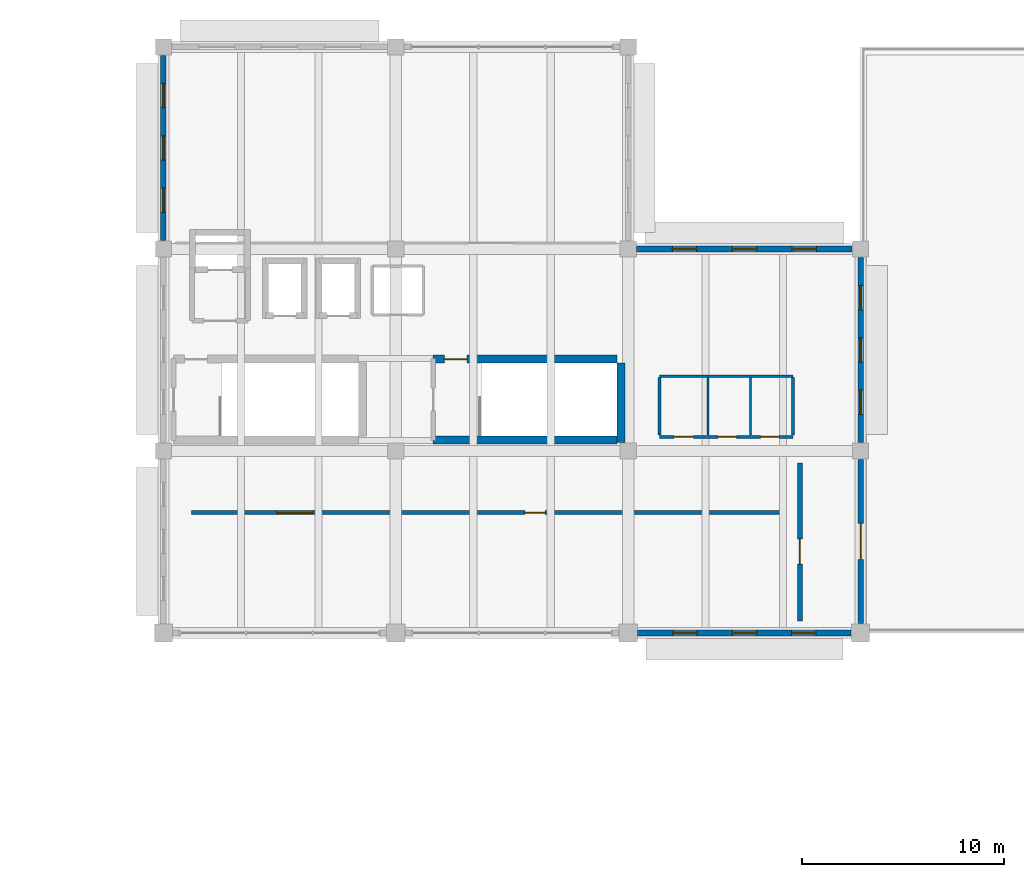
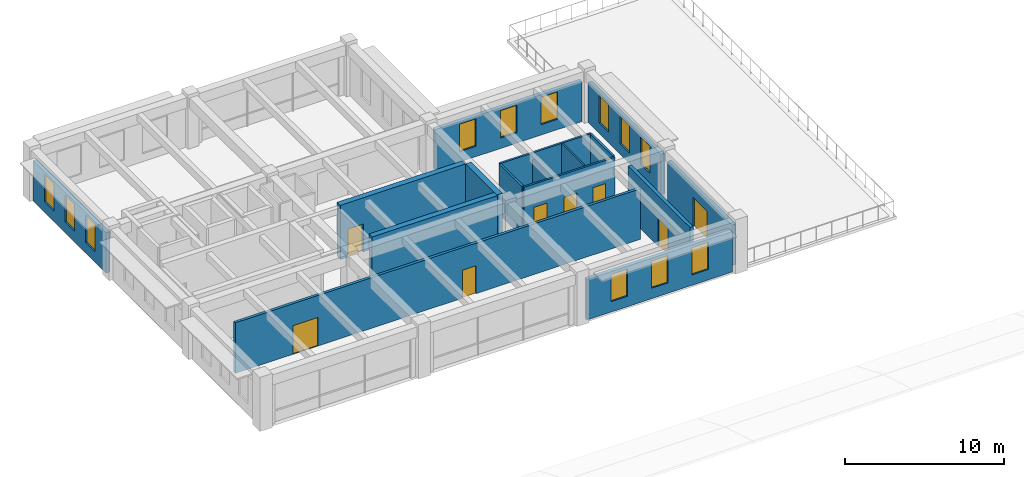
# One storey, part 26 of 33: 16 walls, 12 windows, 8 doors, 20 openings.
"""IFC4 building model written with IfcOpenShell, lengths in metres."""

import ifcopenshell
import ifcopenshell.guid

model = None  # the IFC model being written
_history = None  # IfcOwnerHistory: only IFC2X3 demands one
_inside = {}  # id of a spatial element -> (the spatial element, [elements in it])
_under = {}  # id of a project, library or spatial element -> (it, [spatial elements below it])
_declared = {}  # id of a project -> (the project, [libraries it declares])
_typed = {}  # id of a type object -> (the type object, [elements of that type])
_made_of = {}  # id of a material, layer set ... -> (it, [elements and type objects made of it])


def new_model(schema):
    """Start an empty IFC model of exactly this schema.

    Asked for "IFC4X3", IfcOpenShell would pick the latest addendum, in which some entities
    have other attributes; the version numbers below select the first issue.
    IFC2X3 requires an IfcOwnerHistory on every rooted entity: one is made here for all.
    """
    global model, _history
    if schema == "IFC4X3":
        model = ifcopenshell.file(schema_version=(4, 3, 0, 0))
    else:
        model = ifcopenshell.file(schema=schema)
    _inside.clear()
    _under.clear()
    _declared.clear()
    _typed.clear()
    _made_of.clear()
    _history = None
    if model.schema == "IFC2X3":
        org = make("IfcOrganization", Name="unknown")
        user = make(
            "IfcPersonAndOrganization",
            ThePerson=make("IfcPerson", FamilyName="unknown"),
            TheOrganization=org,
        )
        app = make(
            "IfcApplication",
            ApplicationDeveloper=org,
            Version="unknown",
            ApplicationFullName="unknown",
            ApplicationIdentifier="unknown",
        )
        _history = make(
            "IfcOwnerHistory",
            OwningUser=user,
            OwningApplication=app,
            ChangeAction="ADDED",
            CreationDate=0,
        )
    return model


def make(cls, **values):
    """One entity of the class cls with the attributes given. An attribute that is None is left unset."""
    return model.create_entity(
        cls, **{name: value for name, value in values.items() if value is not None}
    )


def rooted(cls, **values):
    """An entity with a GlobalId (a new one), such as an element, a storey or a relation."""
    return make(cls, GlobalId=ifcopenshell.guid.new(), OwnerHistory=_history, **values)


def si_unit(unit_type, name, prefix=None):
    """IfcSIUnit, for example si_unit("LENGTHUNIT", "METRE", prefix="MILLI")."""
    return make("IfcSIUnit", UnitType=unit_type, Prefix=prefix, Name=name)


def assignment(units):
    """IfcUnitAssignment: the units of a project."""
    return None if units is None else make("IfcUnitAssignment", Units=units)


def point(xyz):
    """IfcCartesianPoint."""
    return None if xyz is None else make("IfcCartesianPoint", Coordinates=xyz)


def direction(xyz):
    """IfcDirection."""
    return None if xyz is None else make("IfcDirection", DirectionRatios=xyz)


def frame(location, z_axis=None, x_axis=None):
    """IfcAxis2Placement3D, a coordinate frame: its origin and axes. An axis left out is left unset."""
    return make(
        "IfcAxis2Placement3D",
        Location=point(location),
        Axis=direction(z_axis),
        RefDirection=direction(x_axis),
    )


def frame_2d(location, x_axis=None):
    """IfcAxis2Placement2D, a coordinate frame in the plane: its origin and x axis."""
    return make(
        "IfcAxis2Placement2D", Location=point(location), RefDirection=direction(x_axis)
    )


def origin():
    """The frame at (0, 0, 0) with its axes left unset."""
    return frame((0.0, 0.0, 0.0))


def place(relative_to, where):
    """IfcLocalPlacement: puts the frame where relative to a parent placement (None: the world)."""
    return make(
        "IfcLocalPlacement", PlacementRelTo=relative_to, RelativePlacement=where
    )


def context(
    kind, dimensions, precision=None, world=None, true_north=None, identifier=None
):
    """IfcGeometricRepresentationContext, for example the 3D "Model" context."""
    return make(
        "IfcGeometricRepresentationContext",
        ContextIdentifier=identifier,
        ContextType=kind,
        CoordinateSpaceDimension=dimensions,
        Precision=precision,
        WorldCoordinateSystem=world,
        TrueNorth=true_north,
    )


def subcontext(parent, identifier, kind, view, scale=None):
    """IfcGeometricRepresentationSubContext, for example "Body" below "Model"."""
    return make(
        "IfcGeometricRepresentationSubContext",
        ContextIdentifier=identifier,
        ContextType=kind,
        ParentContext=parent,
        TargetScale=scale,
        TargetView=view,
    )


def project(units=None, contexts=None):
    """IfcProject with its units and contexts."""
    return rooted(
        "IfcProject",
        Name="project",
        RepresentationContexts=contexts,
        UnitsInContext=assignment(units),
    )


def spatial(cls, under=None, at=None, **own):
    """A site, building, storey or space (cls), placed at a placement, below another one or the project."""
    s = rooted(cls, ObjectPlacement=at, **own)
    if under is not None:
        _under.setdefault(under.id(), (under, []))[1].append(s)
    return s


def profile(cls, at=None, kind="AREA", **sizes):
    """A parametric profile (cls). Its sizes go by their IFC names, for example OverallWidth=200.0."""
    return make(cls, ProfileType=kind, Position=at, **sizes)


def rectangle(**sizes):
    """IfcRectangleProfileDef."""
    return profile("IfcRectangleProfileDef", **sizes)


def extrude(swept, where, along, depth):
    """IfcExtrudedAreaSolid: the profile swept, set in the frame where, extruded along a direction by depth."""
    return make(
        "IfcExtrudedAreaSolid",
        SweptArea=swept,
        Position=where,
        ExtrudedDirection=direction(along),
        Depth=depth,
    )


def shape(context_of_items, identifier, shape_type, items):
    """IfcShapeRepresentation: the items that make up one representation, for example the "Body"."""
    return make(
        "IfcShapeRepresentation",
        ContextOfItems=context_of_items,
        RepresentationIdentifier=identifier,
        RepresentationType=shape_type,
        Items=items,
    )


def material(Name=None, Category=None):
    """IfcMaterial."""
    return make("IfcMaterial", Name=Name, Category=Category)


def layer(
    of_material, thickness, ventilated=None, Name=None, Category=None, Priority=None
):
    """IfcMaterialLayer: one layer of a wall or slab, of a material (None: an air gap)."""
    return make(
        "IfcMaterialLayer",
        Material=of_material,
        LayerThickness=thickness,
        IsVentilated=ventilated,
        Name=Name,
        Category=Category,
        Priority=Priority,
    )


def layer_set(layers, Name=None):
    """IfcMaterialLayerSet."""
    return make("IfcMaterialLayerSet", MaterialLayers=layers, LayerSetName=Name)


def made_of(thing, what):
    """Note that an element or type object is made of a material, layer set ...; save() writes the relation."""
    if what is not None:
        _made_of.setdefault(what.id(), (what, []))[1].append(thing)
    return thing


def type_object(cls, material=None, **own):
    """A type object (cls), such as IfcWallType, which elements share."""
    return made_of(rooted(cls, **own), material)


def element(
    cls,
    number,
    at=None,
    inside=None,
    cuts=None,
    type_object=None,
    material=None,
    context=None,
    identifier="Body",
    shape_type=None,
    held_by="IfcProductDefinitionShape",
    body=None,
    shapes=None,
    **own,
):
    """One element of the class cls, such as IfcWall. Its Tag is "e" and its number.

    at: its placement. inside: the storey or other place that contains it. cuts: it is an
    opening in that element (IfcRelVoidsElement). A single representation is given by context,
    identifier, shape_type and body (its items); several are given by shapes. held_by: the class
    of the entity that holds the representations. save() writes the other relations.
    """
    e = rooted(cls, Tag="e%d" % number, ObjectPlacement=at, **own)
    if body is not None:
        shapes = [shape(context, identifier, shape_type, body)]
    if shapes is not None:
        e.Representation = make(held_by, Representations=shapes)
    if inside is not None:
        _inside.setdefault(inside.id(), (inside, []))[1].append(e)
    if cuts is not None:
        rooted(
            "IfcRelVoidsElement", RelatingBuildingElement=cuts, RelatedOpeningElement=e
        )
    if type_object is not None:
        _typed.setdefault(type_object.id(), (type_object, []))[1].append(e)
    return made_of(e, material)


def fill(opening, filler):
    """IfcRelFillsElement: the door or window that sits in an opening."""
    return rooted(
        "IfcRelFillsElement",
        RelatingOpeningElement=opening,
        RelatedBuildingElement=filler,
    )


def aggregate(whole, parts):
    """IfcRelAggregates: a whole, such as a stair, and the parts it consists of."""
    return rooted("IfcRelAggregates", RelatingObject=whole, RelatedObjects=parts)


def save(model, path):
    """Write the relations noted so far, then the file.

    IfcRelAggregates (storeys below a building ...), IfcRelContainedInSpatialStructure (elements
    in a storey), IfcRelDefinesByType, IfcRelAssociatesMaterial and IfcRelDeclares: one each for
    every whole, place, type object, material and project.
    """
    for whole, parts in _under.values():
        aggregate(whole, parts)
    for where, things in _inside.values():
        rooted(
            "IfcRelContainedInSpatialStructure",
            RelatedElements=things,
            RelatingStructure=where,
        )
    for kind, things in _typed.values():
        rooted("IfcRelDefinesByType", RelatedObjects=things, RelatingType=kind)
    for what, things in _made_of.values():
        rooted("IfcRelAssociatesMaterial", RelatedObjects=things, RelatingMaterial=what)
    for by, libraries in _declared.values():
        rooted("IfcRelDeclares", RelatingContext=by, RelatedDefinitions=libraries)
    model.write(path)


model = new_model("IFC4")

# Units and contexts
model_context = context("Model", 3, precision=1e-05, world=origin(), true_north=direction((0.0, 1.0)))
body_context = subcontext(model_context, "Body", "Model", "MODEL_VIEW")
ifc_project = project(units=[si_unit("LENGTHUNIT", "METRE"), si_unit("AREAUNIT", "SQUARE_METRE"), si_unit("VOLUMEUNIT", "CUBIC_METRE"), si_unit("PLANEANGLEUNIT", "RADIAN"), si_unit("MASSUNIT", "GRAM", prefix="KILO")], contexts=[model_context])

# Site, building, storey
site_placement = place(None, origin())
site = spatial("IfcSite", under=ifc_project, at=site_placement, CompositionType="ELEMENT")
building_placement = place(site_placement, origin())
building = spatial("IfcBuilding", under=site, at=building_placement, Name="Ologun Quay Terminus", CompositionType="ELEMENT")
storey_placement = place(building_placement, frame((0.0, 0.0, 18.300048828125)))
storey = spatial("IfcBuildingStorey", under=building, at=storey_placement, Name="L04", CompositionType="ELEMENT", Elevation=18.300048828125)

# Wall, openings, doors
ifc_material_1 = material(Name="Concrete C40/50", Category="concrete")
ifc_layer_1 = layer(ifc_material_1, 0.199951171875)
ifc_layer_set_1 = layer_set([ifc_layer_1], Name="Concrete C40/50")
wall_type_1 = type_object("IfcWallType", Name="Corridor Fire-Rated Partition 200", PredefinedType="PARTITIONING", material=ifc_layer_set_1)
wall_1_placement = place(storey_placement, frame((24.39990234375, 91.75, 0.0), z_axis=(0.0, 0.0, 1.0), x_axis=(1.0, 0.0, 0.0)))
wall_1 = element("IfcWall", 1, at=wall_1_placement, inside=storey, type_object=wall_type_1, Name="PW-02 Partition WCor-S", PredefinedType="PARTITIONING", context=body_context, shape_type="SweptSolid", body=[
    extrude(rectangle(XDim=29.400146484375, YDim=0.199951171875, at=frame_2d((14.7001953125, 0.0))), origin(), (0.0, 0.0, 1.0), 3.8798828125),
])
opening_1_placement = place(wall_1_placement, frame((4.199951171875, 0.0, 0.0)))
opening_1 = element("IfcOpeningElement", 2, at=opening_1_placement, cuts=wall_1, Name="Opening ID-141", PredefinedType="OPENING", context=body_context, shape_type="SweptSolid", body=[
    extrude(rectangle(XDim=1.800048828125, YDim=2.199951171875, at=frame_2d((0.89990234375, 1.10009765625))), frame((0.0, 0.10986328125, 0.0), z_axis=(0.0, -1.0, 0.0), x_axis=(1.0, 0.0, 0.0)), (0.0, 0.0, 1.0), 0.219970703125),
])
opening_2_placement = place(wall_1_placement, frame((16.5, 0.0, 0.0)))
opening_2 = element("IfcOpeningElement", 3, at=opening_2_placement, cuts=wall_1, Name="Opening ID-142", PredefinedType="OPENING", context=body_context, shape_type="SweptSolid", body=[
    extrude(rectangle(XDim=0.97998046875, YDim=2.14990234375, at=frame_2d((0.489990234375, 1.074951171875))), frame((0.0, 0.10986328125, 0.0), z_axis=(0.0, -1.0, 0.0), x_axis=(1.0, 0.0, 0.0)), (0.0, 0.0, 1.0), 0.219970703125),
])
ifc_material_2 = material(Name="Steel S355", Category="steel")
door_type_1 = type_object("IfcDoorType", Name="Corridor Compartment Pair 1800x2200", OperationType="DOUBLE_DOOR_SINGLE_SWING", PredefinedType="DOOR", material=ifc_material_2)
door_1_placement = place(opening_1_placement, origin())
door_1 = element("IfcDoor", 4, at=door_1_placement, inside=storey, type_object=door_type_1, Name="FD-03 Door ID-141", OperationType="DOUBLE_DOOR_SINGLE_SWING", OverallHeight=2.199951171875, OverallWidth=1.800048828125, PredefinedType="DOOR", context=body_context, shape_type="SweptSolid", body=[
    extrude(rectangle(XDim=1.800048828125, YDim=2.199951171875, at=frame_2d((0.89990234375, 1.10009765625))), frame((0.0, 0.02490234375, 0.0), z_axis=(0.0, -1.0, 0.0), x_axis=(1.0, 0.0, 0.0)), (0.0, 0.0, 1.0), 0.050048828125),
])
fill(opening_1, door_1)
ifc_material_3 = material(Name="Timber Hardwood", Category="wood")
door_type_2 = type_object("IfcDoorType", Name="Operations Room Acoustic Leaf 980x2150", OperationType="SINGLE_SWING_LEFT", PredefinedType="DOOR", material=ifc_material_3)
door_2_placement = place(opening_2_placement, origin())
door_2 = element("IfcDoor", 5, at=door_2_placement, inside=storey, type_object=door_type_2, Name="ID-01 Door ID-142", OperationType="SINGLE_SWING_LEFT", OverallHeight=2.14990234375, OverallWidth=0.97998046875, PredefinedType="DOOR", context=body_context, shape_type="SweptSolid", body=[
    extrude(rectangle(XDim=0.97998046875, YDim=2.14990234375, at=frame_2d((0.489990234375, 1.074951171875))), frame((0.0, 0.02490234375, 0.0), z_axis=(0.0, -1.0, 0.0), x_axis=(1.0, 0.0, 0.0)), (0.0, 0.0, 1.0), 0.050048828125),
])
fill(opening_2, door_2)

# Wall
ifc_material_4 = material(Name="Concrete C40/50", Category="concrete")
ifc_layer_2 = layer(ifc_material_4, 0.39990234375)
ifc_layer_set_2 = layer_set([ifc_layer_2], Name="Concrete C40/50")
wall_type_2 = type_object("IfcWallType", Name="Coupled Wing Upper Core Shear Wall 400", PredefinedType="SHEAR", material=ifc_layer_set_2)
wall_2_placement = place(storey_placement, frame((36.35009765625, 95.35009765625, 0.0), z_axis=(0.0, 0.0, 1.0), x_axis=(1.0, 0.0, 0.0)))
element("IfcWall", 6, at=wall_2_placement, inside=storey, type_object=wall_type_2, Name="WC2 Core South Shear Wall L04", PredefinedType="SHEAR", context=body_context, shape_type="SweptSolid", body=[
    extrude(rectangle(XDim=9.099853515625, YDim=0.39990234375, at=frame_2d((4.5498046875, 0.0))), origin(), (0.0, 0.0, 1.0), 4.159912109375),
])

# Wall, opening, door
wall_3_placement = place(storey_placement, frame((36.35009765625, 99.35009765625, 0.0), z_axis=(0.0, 0.0, 1.0), x_axis=(1.0, 0.0, 0.0)))
wall_3 = element("IfcWall", 7, at=wall_3_placement, inside=storey, type_object=wall_type_2, Name="WC2 Core North Shear Wall L04", PredefinedType="SHEAR", context=body_context, shape_type="SweptSolid", body=[
    extrude(rectangle(XDim=9.099853515625, YDim=0.39990234375, at=frame_2d((4.5498046875, 0.0))), origin(), (0.0, 0.0, 1.0), 4.159912109375),
])
opening_3_placement = place(wall_3_placement, frame((0.550048828125, 0.0, 0.0)))
opening_3 = element("IfcOpeningElement", 8, at=opening_3_placement, cuts=wall_3, Name="Opening ID-135", PredefinedType="OPENING", context=body_context, shape_type="SweptSolid", body=[
    extrude(rectangle(XDim=1.1298828125, YDim=2.14990234375, at=frame_2d((0.56494140625, 1.074951171875))), frame((0.0, 0.2099609375, 0.0), z_axis=(0.0, -1.0, 0.0), x_axis=(1.0, 0.0, 0.0)), (0.0, 0.0, 1.0), 0.419921875),
])
ifc_material_5 = material(Name="Steel S355", Category="steel")
door_type_3 = type_object("IfcDoorType", Name="Stairwell Fire Escape Door 1130x2150", OperationType="SINGLE_SWING_LEFT", PredefinedType="DOOR", material=ifc_material_5)
door_3_placement = place(opening_3_placement, frame((0.56494140625, 0.0, 0.0), z_axis=(0.0, 0.0, 1.0), x_axis=(-1.0, 0.0, 0.0)))
door_3 = element("IfcDoor", 9, at=door_3_placement, inside=storey, type_object=door_type_3, Name="FD-01 Door ID-135", OperationType="SINGLE_SWING_LEFT", OverallHeight=2.14990234375, OverallWidth=1.1298828125, PredefinedType="DOOR", context=body_context, shape_type="SweptSolid", body=[
    extrude(rectangle(XDim=1.1298828125, YDim=2.14990234375, at=frame_2d((0.0, 1.074951171875))), frame((0.0, 0.02490234375, 0.0), z_axis=(0.0, -1.0, 0.0), x_axis=(1.0, 0.0, 0.0)), (0.0, 0.0, 1.0), 0.050048828125),
])
fill(opening_3, door_3)

# Wall
wall_4_placement = place(storey_placement, frame((45.64990234375, 95.219970703125, 0.0), z_axis=(0.0, 0.0, 1.0), x_axis=(0.0, 1.0, 0.0)))
element("IfcWall", 10, at=wall_4_placement, inside=storey, type_object=wall_type_2, Name="WC2 Core East Shear Wall L04", PredefinedType="SHEAR", context=body_context, shape_type="SweptSolid", body=[
    extrude(rectangle(XDim=3.929931640625, YDim=0.39990234375, at=frame_2d((1.96484375, 0.0))), origin(), (0.0, 0.0, 1.0), 4.159912109375),
])

# Wall, openings, windows
ifc_material_6 = material(Name="Concrete C40/50", Category="concrete")
ifc_layer_3 = layer(ifc_material_6, 0.280029296875)
ifc_layer_set_3 = layer_set([ifc_layer_3], Name="Concrete C40/50")
wall_type_3 = type_object("IfcWallType", Name="Courtyard Wing Spandrel Concrete Wall 280", PredefinedType="SOLIDWALL", material=ifc_layer_set_3)
wall_5_placement = place(storey_placement, frame((46.469970703125, 85.800048828125, 0.0), z_axis=(0.0, 0.0, 1.0), x_axis=(1.0, 0.0, 0.0)))
wall_5 = element("IfcWall", 11, at=wall_5_placement, inside=storey, type_object=wall_type_3, Name="EW-02 Facade Wall WEW-WW-O-L04-3", PredefinedType="SOLIDWALL", context=body_context, shape_type="SweptSolid", body=[
    extrude(rectangle(XDim=10.56005859375, YDim=0.280029296875, at=frame_2d((5.280029296875, 0.0))), origin(), (0.0, 0.0, 1.0), 3.099853515625),
])
opening_4_placement = place(wall_5_placement, frame((1.739990234375, 0.0, 0.800048828125)))
opening_4 = element("IfcOpeningElement", 12, at=opening_4_placement, cuts=wall_5, Name="Opening WN-311", PredefinedType="OPENING", context=body_context, shape_type="SweptSolid", body=[
    extrude(rectangle(XDim=1.199951171875, YDim=2.10009765625, at=frame_2d((0.60009765625, 1.050048828125))), frame((0.0, 0.14990234375, 0.0), z_axis=(0.0, -1.0, 0.0), x_axis=(1.0, 0.0, 0.0)), (0.0, 0.0, 1.0), 0.300048828125),
])
opening_5_placement = place(wall_5_placement, frame((4.679931640625, 0.0, 0.800048828125)))
opening_5 = element("IfcOpeningElement", 13, at=opening_5_placement, cuts=wall_5, Name="Opening WN-312", PredefinedType="OPENING", context=body_context, shape_type="SweptSolid", body=[
    extrude(rectangle(XDim=1.199951171875, YDim=2.10009765625, at=frame_2d((0.60009765625, 1.050048828125))), frame((0.0, 0.14990234375, 0.0), z_axis=(0.0, -1.0, 0.0), x_axis=(1.0, 0.0, 0.0)), (0.0, 0.0, 1.0), 0.300048828125),
])
opening_6_placement = place(wall_5_placement, frame((7.6201171875, 0.0, 0.800048828125)))
opening_6 = element("IfcOpeningElement", 14, at=opening_6_placement, cuts=wall_5, Name="Opening WN-313", PredefinedType="OPENING", context=body_context, shape_type="SweptSolid", body=[
    extrude(rectangle(XDim=1.199951171875, YDim=2.10009765625, at=frame_2d((0.60009765625, 1.050048828125))), frame((0.0, 0.14990234375, 0.0), z_axis=(0.0, -1.0, 0.0), x_axis=(1.0, 0.0, 0.0)), (0.0, 0.0, 1.0), 0.300048828125),
])
ifc_material_7 = material(Name="Glass", Category="glass")
window_type = type_object("IfcWindowType", Name="Archive Reading Slit Window 1200x2100", PartitioningType="SINGLE_PANEL", PredefinedType="WINDOW", material=ifc_material_7)
window_1_placement = place(opening_4_placement, origin())
window_1 = element("IfcWindow", 15, at=window_1_placement, inside=storey, type_object=window_type, Name="W-17 Window WN-311", OverallHeight=2.10009765625, OverallWidth=1.199951171875, PartitioningType="SINGLE_PANEL", PredefinedType="WINDOW", context=body_context, shape_type="SweptSolid", body=[
    extrude(rectangle(XDim=1.199951171875, YDim=2.10009765625, at=frame_2d((0.60009765625, 1.050048828125))), frame((0.0, 0.030029296875, 0.0), z_axis=(0.0, -1.0, 0.0), x_axis=(1.0, 0.0, 0.0)), (0.0, 0.0, 1.0), 0.06005859375),
])
fill(opening_4, window_1)
window_2_placement = place(opening_5_placement, origin())
window_2 = element("IfcWindow", 16, at=window_2_placement, inside=storey, type_object=window_type, Name="W-17 Window WN-312", OverallHeight=2.10009765625, OverallWidth=1.199951171875, PartitioningType="SINGLE_PANEL", PredefinedType="WINDOW", context=body_context, shape_type="SweptSolid", body=[
    extrude(rectangle(XDim=1.199951171875, YDim=2.10009765625, at=frame_2d((0.60009765625, 1.050048828125))), frame((0.0, 0.030029296875, 0.0), z_axis=(0.0, -1.0, 0.0), x_axis=(1.0, 0.0, 0.0)), (0.0, 0.0, 1.0), 0.06005859375),
])
fill(opening_5, window_2)
window_3_placement = place(opening_6_placement, origin())
window_3 = element("IfcWindow", 17, at=window_3_placement, inside=storey, type_object=window_type, Name="W-17 Window WN-313", OverallHeight=2.10009765625, OverallWidth=1.199951171875, PartitioningType="SINGLE_PANEL", PredefinedType="WINDOW", context=body_context, shape_type="SweptSolid", body=[
    extrude(rectangle(XDim=1.199951171875, YDim=2.10009765625, at=frame_2d((0.60009765625, 1.050048828125))), frame((0.0, 0.030029296875, 0.0), z_axis=(0.0, -1.0, 0.0), x_axis=(1.0, 0.0, 0.0)), (0.0, 0.0, 1.0), 0.06005859375),
])
fill(opening_6, window_3)

# Wall, opening, door
wall_6_placement = place(storey_placement, frame((57.5, 86.27001953125, 0.0), z_axis=(0.0, 0.0, 1.0), x_axis=(0.0, 1.0, 0.0)))
wall_6 = element("IfcWall", 18, at=wall_6_placement, inside=storey, type_object=wall_type_3, Name="EW-02 Facade Wall WEW-WW-TER-L04-4", PredefinedType="SOLIDWALL", context=body_context, shape_type="SweptSolid", body=[
    extrude(rectangle(XDim=8.10986328125, YDim=0.280029296875, at=frame_2d((4.054931640625, 0.0))), origin(), (0.0, 0.0, 1.0), 3.099853515625),
])
opening_7_placement = place(wall_6_placement, frame((3.155029296875, 0.0, 0.0)))
opening_7 = element("IfcOpeningElement", 19, at=opening_7_placement, cuts=wall_6, Name="Opening ED-020", PredefinedType="OPENING", context=body_context, shape_type="SweptSolid", body=[
    extrude(rectangle(XDim=1.800048828125, YDim=2.25, at=frame_2d((0.89990234375, 1.125))), frame((0.0, 0.14990234375, 0.0), z_axis=(0.0, -1.0, 0.0), x_axis=(1.0, 0.0, 0.0)), (0.0, 0.0, 1.0), 0.300048828125),
])
ifc_material_8 = material(Name="Glass", Category="glass")
door_type_4 = type_object("IfcDoorType", Name="Walkable Terrace Glazed Access Door 1800x2250", OperationType="DOUBLE_DOOR_SINGLE_SWING", PredefinedType="DOOR", material=ifc_material_8)
door_4_placement = place(opening_7_placement, frame((0.89990234375, 0.0, 0.0), z_axis=(0.0, 0.0, 1.0), x_axis=(-1.0, 0.0, 0.0)))
door_4 = element("IfcDoor", 20, at=door_4_placement, inside=storey, type_object=door_type_4, Name="D-05 Exterior Door ED-020", OperationType="DOUBLE_DOOR_SINGLE_SWING", OverallHeight=2.25, OverallWidth=1.800048828125, PredefinedType="DOOR", context=body_context, shape_type="SweptSolid", body=[
    extrude(rectangle(XDim=1.800048828125, YDim=2.25, at=frame_2d((0.0, 1.125))), frame((0.0, 0.02490234375, 0.0), z_axis=(0.0, -1.0, 0.0), x_axis=(1.0, 0.0, 0.0)), (0.0, 0.0, 1.0), 0.050048828125),
])
fill(opening_7, door_4)

# Wall, openings, windows
wall_7_placement = place(storey_placement, frame((57.5, 95.219970703125, 0.0), z_axis=(0.0, 0.0, 1.0), x_axis=(0.0, 1.0, 0.0)))
wall_7 = element("IfcWall", 21, at=wall_7_placement, inside=storey, type_object=wall_type_3, Name="EW-02 Facade Wall WEW-WW-O-L04-5", PredefinedType="SOLIDWALL", context=body_context, shape_type="SweptSolid", body=[
    extrude(rectangle(XDim=9.159912109375, YDim=0.280029296875, at=frame_2d((4.580078125, 0.0))), origin(), (0.0, 0.0, 1.0), 3.099853515625),
])
opening_8_placement = place(wall_7_placement, frame((1.389892578125, 0.0, 0.800048828125)))
opening_8 = element("IfcOpeningElement", 22, at=opening_8_placement, cuts=wall_7, Name="Opening WN-314", PredefinedType="OPENING", context=body_context, shape_type="SweptSolid", body=[
    extrude(rectangle(XDim=1.199951171875, YDim=2.10009765625, at=frame_2d((0.60009765625, 1.050048828125))), frame((0.0, 0.14990234375, 0.0), z_axis=(0.0, -1.0, 0.0), x_axis=(1.0, 0.0, 0.0)), (0.0, 0.0, 1.0), 0.300048828125),
])
opening_9_placement = place(wall_7_placement, frame((3.97998046875, 0.0, 0.800048828125)))
opening_9 = element("IfcOpeningElement", 23, at=opening_9_placement, cuts=wall_7, Name="Opening WN-315", PredefinedType="OPENING", context=body_context, shape_type="SweptSolid", body=[
    extrude(rectangle(XDim=1.199951171875, YDim=2.10009765625, at=frame_2d((0.60009765625, 1.050048828125))), frame((0.0, 0.14990234375, 0.0), z_axis=(0.0, -1.0, 0.0), x_axis=(1.0, 0.0, 0.0)), (0.0, 0.0, 1.0), 0.300048828125),
])
opening_10_placement = place(wall_7_placement, frame((6.570068359375, 0.0, 0.800048828125)))
opening_10 = element("IfcOpeningElement", 24, at=opening_10_placement, cuts=wall_7, Name="Opening WN-316", PredefinedType="OPENING", context=body_context, shape_type="SweptSolid", body=[
    extrude(rectangle(XDim=1.199951171875, YDim=2.10009765625, at=frame_2d((0.60009765625, 1.050048828125))), frame((0.0, 0.14990234375, 0.0), z_axis=(0.0, -1.0, 0.0), x_axis=(1.0, 0.0, 0.0)), (0.0, 0.0, 1.0), 0.300048828125),
])
window_4_placement = place(opening_8_placement, origin())
window_4 = element("IfcWindow", 25, at=window_4_placement, inside=storey, type_object=window_type, Name="W-17 Window WN-314", OverallHeight=2.10009765625, OverallWidth=1.199951171875, PartitioningType="SINGLE_PANEL", PredefinedType="WINDOW", context=body_context, shape_type="SweptSolid", body=[
    extrude(rectangle(XDim=1.199951171875, YDim=2.10009765625, at=frame_2d((0.60009765625, 1.050048828125))), frame((0.0, 0.030029296875, 0.0), z_axis=(0.0, -1.0, 0.0), x_axis=(1.0, 0.0, 0.0)), (0.0, 0.0, 1.0), 0.06005859375),
])
fill(opening_8, window_4)
window_5_placement = place(opening_9_placement, origin())
window_5 = element("IfcWindow", 26, at=window_5_placement, inside=storey, type_object=window_type, Name="W-17 Window WN-315", OverallHeight=2.10009765625, OverallWidth=1.199951171875, PartitioningType="SINGLE_PANEL", PredefinedType="WINDOW", context=body_context, shape_type="SweptSolid", body=[
    extrude(rectangle(XDim=1.199951171875, YDim=2.10009765625, at=frame_2d((0.60009765625, 1.050048828125))), frame((0.0, 0.030029296875, 0.0), z_axis=(0.0, -1.0, 0.0), x_axis=(1.0, 0.0, 0.0)), (0.0, 0.0, 1.0), 0.06005859375),
])
fill(opening_9, window_5)
window_6_placement = place(opening_10_placement, origin())
window_6 = element("IfcWindow", 27, at=window_6_placement, inside=storey, type_object=window_type, Name="W-17 Window WN-316", OverallHeight=2.10009765625, OverallWidth=1.199951171875, PartitioningType="SINGLE_PANEL", PredefinedType="WINDOW", context=body_context, shape_type="SweptSolid", body=[
    extrude(rectangle(XDim=1.199951171875, YDim=2.10009765625, at=frame_2d((0.60009765625, 1.050048828125))), frame((0.0, 0.030029296875, 0.0), z_axis=(0.0, -1.0, 0.0), x_axis=(1.0, 0.0, 0.0)), (0.0, 0.0, 1.0), 0.06005859375),
])
fill(opening_10, window_6)

wall_8_placement = place(storey_placement, frame((46.419921875, 104.800048828125, 0.0), z_axis=(0.0, 0.0, 1.0), x_axis=(1.0, 0.0, 0.0)))
wall_8 = element("IfcWall", 28, at=wall_8_placement, inside=storey, type_object=wall_type_3, Name="EW-02 Facade Wall WEW-WW-O-L04-6", PredefinedType="SOLIDWALL", context=body_context, shape_type="SweptSolid", body=[
    extrude(rectangle(XDim=10.66015625, YDim=0.280029296875, at=frame_2d((5.330078125, 0.0))), origin(), (0.0, 0.0, 1.0), 3.099853515625),
])
opening_11_placement = place(wall_8_placement, frame((1.764892578125, 0.0, 0.800048828125)))
opening_11 = element("IfcOpeningElement", 29, at=opening_11_placement, cuts=wall_8, Name="Opening WN-317", PredefinedType="OPENING", context=body_context, shape_type="SweptSolid", body=[
    extrude(rectangle(XDim=1.199951171875, YDim=2.10009765625, at=frame_2d((0.60009765625, 1.050048828125))), frame((0.0, 0.14990234375, 0.0), z_axis=(0.0, -1.0, 0.0), x_axis=(1.0, 0.0, 0.0)), (0.0, 0.0, 1.0), 0.300048828125),
])
opening_12_placement = place(wall_8_placement, frame((4.72998046875, 0.0, 0.800048828125)))
opening_12 = element("IfcOpeningElement", 30, at=opening_12_placement, cuts=wall_8, Name="Opening WN-318", PredefinedType="OPENING", context=body_context, shape_type="SweptSolid", body=[
    extrude(rectangle(XDim=1.199951171875, YDim=2.10009765625, at=frame_2d((0.60009765625, 1.050048828125))), frame((0.0, 0.14990234375, 0.0), z_axis=(0.0, -1.0, 0.0), x_axis=(1.0, 0.0, 0.0)), (0.0, 0.0, 1.0), 0.300048828125),
])
opening_13_placement = place(wall_8_placement, frame((7.695068359375, 0.0, 0.800048828125)))
opening_13 = element("IfcOpeningElement", 31, at=opening_13_placement, cuts=wall_8, Name="Opening WN-319", PredefinedType="OPENING", context=body_context, shape_type="SweptSolid", body=[
    extrude(rectangle(XDim=1.199951171875, YDim=2.10009765625, at=frame_2d((0.60009765625, 1.050048828125))), frame((0.0, 0.14990234375, 0.0), z_axis=(0.0, -1.0, 0.0), x_axis=(1.0, 0.0, 0.0)), (0.0, 0.0, 1.0), 0.300048828125),
])
window_7_placement = place(opening_11_placement, origin())
window_7 = element("IfcWindow", 32, at=window_7_placement, inside=storey, type_object=window_type, Name="W-17 Window WN-317", OverallHeight=2.10009765625, OverallWidth=1.199951171875, PartitioningType="SINGLE_PANEL", PredefinedType="WINDOW", context=body_context, shape_type="SweptSolid", body=[
    extrude(rectangle(XDim=1.199951171875, YDim=2.10009765625, at=frame_2d((0.60009765625, 1.050048828125))), frame((0.0, 0.030029296875, 0.0), z_axis=(0.0, -1.0, 0.0), x_axis=(1.0, 0.0, 0.0)), (0.0, 0.0, 1.0), 0.06005859375),
])
fill(opening_11, window_7)
window_8_placement = place(opening_12_placement, origin())
window_8 = element("IfcWindow", 33, at=window_8_placement, inside=storey, type_object=window_type, Name="W-17 Window WN-318", OverallHeight=2.10009765625, OverallWidth=1.199951171875, PartitioningType="SINGLE_PANEL", PredefinedType="WINDOW", context=body_context, shape_type="SweptSolid", body=[
    extrude(rectangle(XDim=1.199951171875, YDim=2.10009765625, at=frame_2d((0.60009765625, 1.050048828125))), frame((0.0, 0.030029296875, 0.0), z_axis=(0.0, -1.0, 0.0), x_axis=(1.0, 0.0, 0.0)), (0.0, 0.0, 1.0), 0.06005859375),
])
fill(opening_12, window_8)
window_9_placement = place(opening_13_placement, origin())
window_9 = element("IfcWindow", 34, at=window_9_placement, inside=storey, type_object=window_type, Name="W-17 Window WN-319", OverallHeight=2.10009765625, OverallWidth=1.199951171875, PartitioningType="SINGLE_PANEL", PredefinedType="WINDOW", context=body_context, shape_type="SweptSolid", body=[
    extrude(rectangle(XDim=1.199951171875, YDim=2.10009765625, at=frame_2d((0.60009765625, 1.050048828125))), frame((0.0, 0.030029296875, 0.0), z_axis=(0.0, -1.0, 0.0), x_axis=(1.0, 0.0, 0.0)), (0.0, 0.0, 1.0), 0.06005859375),
])
fill(opening_13, window_9)

wall_9_placement = place(storey_placement, frame((23.0, 105.219970703125, 0.0), z_axis=(0.0, 0.0, 1.0), x_axis=(0.0, 1.0, 0.0)))
wall_9 = element("IfcWall", 35, at=wall_9_placement, inside=storey, type_object=wall_type_3, Name="EW-02 Facade Wall WEW-WW-O-L04-12", PredefinedType="SOLIDWALL", context=body_context, shape_type="SweptSolid", body=[
    extrude(rectangle(XDim=9.159912109375, YDim=0.280029296875, at=frame_2d((4.580078125, 0.0))), origin(), (0.0, 0.0, 1.0), 3.099853515625),
])
opening_14_placement = place(wall_9_placement, frame((1.389892578125, 0.0, 0.800048828125)))
opening_14 = element("IfcOpeningElement", 36, at=opening_14_placement, cuts=wall_9, Name="Opening WN-332", PredefinedType="OPENING", context=body_context, shape_type="SweptSolid", body=[
    extrude(rectangle(XDim=1.199951171875, YDim=2.10009765625, at=frame_2d((0.60009765625, 1.050048828125))), frame((0.0, 0.14990234375, 0.0), z_axis=(0.0, -1.0, 0.0), x_axis=(1.0, 0.0, 0.0)), (0.0, 0.0, 1.0), 0.300048828125),
])
opening_15_placement = place(wall_9_placement, frame((3.97998046875, 0.0, 0.800048828125)))
opening_15 = element("IfcOpeningElement", 37, at=opening_15_placement, cuts=wall_9, Name="Opening WN-333", PredefinedType="OPENING", context=body_context, shape_type="SweptSolid", body=[
    extrude(rectangle(XDim=1.199951171875, YDim=2.10009765625, at=frame_2d((0.60009765625, 1.050048828125))), frame((0.0, 0.14990234375, 0.0), z_axis=(0.0, -1.0, 0.0), x_axis=(1.0, 0.0, 0.0)), (0.0, 0.0, 1.0), 0.300048828125),
])
opening_16_placement = place(wall_9_placement, frame((6.570068359375, 0.0, 0.800048828125)))
opening_16 = element("IfcOpeningElement", 38, at=opening_16_placement, cuts=wall_9, Name="Opening WN-334", PredefinedType="OPENING", context=body_context, shape_type="SweptSolid", body=[
    extrude(rectangle(XDim=1.199951171875, YDim=2.10009765625, at=frame_2d((0.60009765625, 1.050048828125))), frame((0.0, 0.14990234375, 0.0), z_axis=(0.0, -1.0, 0.0), x_axis=(1.0, 0.0, 0.0)), (0.0, 0.0, 1.0), 0.300048828125),
])
window_10_placement = place(opening_14_placement, origin())
window_10 = element("IfcWindow", 39, at=window_10_placement, inside=storey, type_object=window_type, Name="W-17 Window WN-332", OverallHeight=2.10009765625, OverallWidth=1.199951171875, PartitioningType="SINGLE_PANEL", PredefinedType="WINDOW", context=body_context, shape_type="SweptSolid", body=[
    extrude(rectangle(XDim=1.199951171875, YDim=2.10009765625, at=frame_2d((0.60009765625, 1.050048828125))), frame((0.0, 0.030029296875, 0.0), z_axis=(0.0, -1.0, 0.0), x_axis=(1.0, 0.0, 0.0)), (0.0, 0.0, 1.0), 0.06005859375),
])
fill(opening_14, window_10)
window_11_placement = place(opening_15_placement, origin())
window_11 = element("IfcWindow", 40, at=window_11_placement, inside=storey, type_object=window_type, Name="W-17 Window WN-333", OverallHeight=2.10009765625, OverallWidth=1.199951171875, PartitioningType="SINGLE_PANEL", PredefinedType="WINDOW", context=body_context, shape_type="SweptSolid", body=[
    extrude(rectangle(XDim=1.199951171875, YDim=2.10009765625, at=frame_2d((0.60009765625, 1.050048828125))), frame((0.0, 0.030029296875, 0.0), z_axis=(0.0, -1.0, 0.0), x_axis=(1.0, 0.0, 0.0)), (0.0, 0.0, 1.0), 0.06005859375),
])
fill(opening_15, window_11)
window_12_placement = place(opening_16_placement, origin())
window_12 = element("IfcWindow", 41, at=window_12_placement, inside=storey, type_object=window_type, Name="W-17 Window WN-334", OverallHeight=2.10009765625, OverallWidth=1.199951171875, PartitioningType="SINGLE_PANEL", PredefinedType="WINDOW", context=body_context, shape_type="SweptSolid", body=[
    extrude(rectangle(XDim=1.199951171875, YDim=2.10009765625, at=frame_2d((0.60009765625, 1.050048828125))), frame((0.0, 0.030029296875, 0.0), z_axis=(0.0, -1.0, 0.0), x_axis=(1.0, 0.0, 0.0)), (0.0, 0.0, 1.0), 0.06005859375),
])
fill(opening_16, window_12)

# Wall, opening, door
ifc_material_9 = material(Name="Concrete C40/50", Category="concrete")
ifc_layer_4 = layer(ifc_material_9, 0.239990234375)
ifc_layer_set_4 = layer_set([ifc_layer_4], Name="Concrete C40/50")
wall_type_4 = type_object("IfcWallType", Name="Fire Compartment Blockwork Wall 240", PredefinedType="SOLIDWALL", material=ifc_layer_set_4)
wall_10_placement = place(storey_placement, frame((54.5, 86.39990234375, 0.0), z_axis=(0.0, 0.0, 1.0), x_axis=(0.0, 1.0, 0.0)))
wall_10 = element("IfcWall", 42, at=wall_10_placement, inside=storey, type_object=wall_type_4, Name="PW-01 Partition L04-ArchiveSalon-W", PredefinedType="SOLIDWALL", context=body_context, shape_type="SweptSolid", body=[
    extrude(rectangle(XDim=7.800048828125, YDim=0.239990234375, at=frame_2d((3.89990234375, 0.0))), origin(), (0.0, 0.0, 1.0), 3.8798828125),
])
opening_17_placement = place(wall_10_placement, frame((2.800048828125, 0.0, 0.0)))
opening_17 = element("IfcOpeningElement", 43, at=opening_17_placement, cuts=wall_10, Name="Opening ID-333", PredefinedType="OPENING", context=body_context, shape_type="SweptSolid", body=[
    extrude(rectangle(XDim=1.25, YDim=2.14990234375, at=frame_2d((0.625, 1.074951171875))), frame((0.0, 0.1298828125, 0.0), z_axis=(0.0, -1.0, 0.0), x_axis=(1.0, 0.0, 0.0)), (0.0, 0.0, 1.0), 0.260009765625),
])
ifc_material_10 = material(Name="Steel S355", Category="steel")
door_type_5 = type_object("IfcDoorType", Name="Archive Salon Fire Door 1250x2150", OperationType="SINGLE_SWING_RIGHT", PredefinedType="DOOR", material=ifc_material_10)
door_5_placement = place(opening_17_placement, origin())
door_5 = element("IfcDoor", 44, at=door_5_placement, inside=storey, type_object=door_type_5, Name="ID-13 Door ID-333", OperationType="SINGLE_SWING_RIGHT", OverallHeight=2.14990234375, OverallWidth=1.25, PredefinedType="DOOR", context=body_context, shape_type="SweptSolid", body=[
    extrude(rectangle(XDim=1.25, YDim=2.14990234375, at=frame_2d((0.625, 1.074951171875))), frame((0.0, 0.02490234375, 0.0), z_axis=(0.0, -1.0, 0.0), x_axis=(1.0, 0.0, 0.0)), (0.0, 0.0, 1.0), 0.050048828125),
])
fill(opening_17, door_5)

# Walls
ifc_material_11 = material(Name="Gypsum Acoustic Stud")
ifc_layer_5 = layer(ifc_material_11, 0.10498046875)
ifc_layer_set_5 = layer_set([ifc_layer_5], Name="Gypsum Acoustic Stud")
wall_type_5 = type_object("IfcWallType", Name="Light Cubicle Partition 105", PredefinedType="PARTITIONING", material=ifc_layer_set_5)
wall_11_placement = place(storey_placement, frame((49.949951171875, 95.60009765625, 0.0), z_axis=(0.0, 0.0, 1.0), x_axis=(0.0, 1.0, 0.0)))
element("IfcWall", 45, at=wall_11_placement, inside=storey, type_object=wall_type_5, Name="PW-13 Partition WWC-D1", PredefinedType="PARTITIONING", context=body_context, shape_type="SweptSolid", body=[
    extrude(rectangle(XDim=2.849853515625, YDim=0.10498046875, at=frame_2d((1.4248046875, 0.0))), origin(), (0.0, 0.0, 1.0), 3.349853515625),
])
wall_12_placement = place(storey_placement, frame((52.050048828125, 95.60009765625, 0.0), z_axis=(0.0, 0.0, 1.0), x_axis=(0.0, 1.0, 0.0)))
element("IfcWall", 46, at=wall_12_placement, inside=storey, type_object=wall_type_5, Name="PW-13 Partition WWC-D2", PredefinedType="PARTITIONING", context=body_context, shape_type="SweptSolid", body=[
    extrude(rectangle(XDim=2.849853515625, YDim=0.10498046875, at=frame_2d((1.4248046875, 0.0))), origin(), (0.0, 0.0, 1.0), 3.8798828125),
])

# Wall, openings, doors
ifc_material_12 = material(Name="Concrete C40/50", Category="concrete")
ifc_layer_6 = layer(ifc_material_12, 0.139892578125)
ifc_layer_set_6 = layer_set([ifc_layer_6], Name="Concrete C40/50")
wall_type_6 = type_object("IfcWallType", Name="Sanitary Wet-Area Blockwork Wall 140", PredefinedType="PLUMBINGWALL", material=ifc_layer_set_6)
wall_13_placement = place(storey_placement, frame((47.550048828125, 95.5, 0.0), z_axis=(0.0, 0.0, 1.0), x_axis=(1.0, 0.0, 0.0)))
wall_13 = element("IfcWall", 47, at=wall_13_placement, inside=storey, type_object=wall_type_6, Name="PW-06 Partition WWC-S", PredefinedType="PLUMBINGWALL", context=body_context, shape_type="SweptSolid", body=[
    extrude(rectangle(XDim=6.599853515625, YDim=0.139892578125, at=frame_2d((3.2998046875, 0.0))), origin(), (0.0, 0.0, 1.0), 3.8798828125),
])
opening_18_placement = place(wall_13_placement, frame((0.719970703125, 0.0, 0.0)))
opening_18 = element("IfcOpeningElement", 48, at=opening_18_placement, cuts=wall_13, Name="Opening ID-138", PredefinedType="OPENING", context=body_context, shape_type="SweptSolid", body=[
    extrude(rectangle(XDim=0.949951171875, YDim=2.10009765625, at=frame_2d((0.47509765625, 1.050048828125))), frame((0.0, 0.080078125, 0.0), z_axis=(0.0, -1.0, 0.0), x_axis=(1.0, 0.0, 0.0)), (0.0, 0.0, 1.0), 0.159912109375),
])
opening_19_placement = place(wall_13_placement, frame((2.89990234375, 0.0, 0.0)))
opening_19 = element("IfcOpeningElement", 49, at=opening_19_placement, cuts=wall_13, Name="Opening ID-139", PredefinedType="OPENING", context=body_context, shape_type="SweptSolid", body=[
    extrude(rectangle(XDim=0.919921875, YDim=2.10009765625, at=frame_2d((0.4599609375, 1.050048828125))), frame((0.0, 0.080078125, 0.0), z_axis=(0.0, -1.0, 0.0), x_axis=(1.0, 0.0, 0.0)), (0.0, 0.0, 1.0), 0.159912109375),
])
opening_20_placement = place(wall_13_placement, frame((5.0, 0.0, 0.0)))
opening_20 = element("IfcOpeningElement", 50, at=opening_20_placement, cuts=wall_13, Name="Opening ID-140", PredefinedType="OPENING", context=body_context, shape_type="SweptSolid", body=[
    extrude(rectangle(XDim=0.919921875, YDim=2.10009765625, at=frame_2d((0.4599609375, 1.050048828125))), frame((0.0, 0.080078125, 0.0), z_axis=(0.0, -1.0, 0.0), x_axis=(1.0, 0.0, 0.0)), (0.0, 0.0, 1.0), 0.159912109375),
])
ifc_material_13 = material(Name="Timber Hardwood", Category="wood")
door_type_6 = type_object("IfcDoorType", Name="Accessible WC Outward-Swing Door 950x2100", OperationType="SINGLE_SWING_LEFT", PredefinedType="DOOR", material=ifc_material_13)
door_6_placement = place(opening_18_placement, frame((0.47509765625, 0.0, 0.0), z_axis=(0.0, 0.0, 1.0), x_axis=(-1.0, 0.0, 0.0)))
door_6 = element("IfcDoor", 51, at=door_6_placement, inside=storey, type_object=door_type_6, Name="ID-04 Door ID-138", OperationType="SINGLE_SWING_LEFT", OverallHeight=2.10009765625, OverallWidth=0.949951171875, PredefinedType="DOOR", context=body_context, shape_type="SweptSolid", body=[
    extrude(rectangle(XDim=0.949951171875, YDim=2.10009765625, at=frame_2d((0.0, 1.050048828125))), frame((0.0, 0.02490234375, 0.0), z_axis=(0.0, -1.0, 0.0), x_axis=(1.0, 0.0, 0.0)), (0.0, 0.0, 1.0), 0.050048828125),
])
fill(opening_18, door_6)
ifc_material_14 = material(Name="Timber Hardwood", Category="wood")
door_type_7 = type_object("IfcDoorType", Name="Sanitary Block Entrance Door 920x2100", OperationType="SINGLE_SWING_RIGHT", PredefinedType="DOOR", material=ifc_material_14)
door_7_placement = place(opening_19_placement, origin())
door_7 = element("IfcDoor", 52, at=door_7_placement, inside=storey, type_object=door_type_7, Name="ID-05 Door ID-139", OperationType="SINGLE_SWING_RIGHT", OverallHeight=2.10009765625, OverallWidth=0.919921875, PredefinedType="DOOR", context=body_context, shape_type="SweptSolid", body=[
    extrude(rectangle(XDim=0.919921875, YDim=2.10009765625, at=frame_2d((0.4599609375, 1.050048828125))), frame((0.0, 0.02490234375, 0.0), z_axis=(0.0, -1.0, 0.0), x_axis=(1.0, 0.0, 0.0)), (0.0, 0.0, 1.0), 0.050048828125),
])
fill(opening_19, door_7)
door_8_placement = place(opening_20_placement, origin())
door_8 = element("IfcDoor", 53, at=door_8_placement, inside=storey, type_object=door_type_7, Name="ID-05 Door ID-140", OperationType="SINGLE_SWING_RIGHT", OverallHeight=2.10009765625, OverallWidth=0.919921875, PredefinedType="DOOR", context=body_context, shape_type="SweptSolid", body=[
    extrude(rectangle(XDim=0.919921875, YDim=2.10009765625, at=frame_2d((0.4599609375, 1.050048828125))), frame((0.0, 0.02490234375, 0.0), z_axis=(0.0, -1.0, 0.0), x_axis=(1.0, 0.0, 0.0)), (0.0, 0.0, 1.0), 0.050048828125),
])
fill(opening_20, door_8)

# Walls
for number, where, z_axis, x_axis, name in (
    (54, (47.550048828125, 95.60009765625, 0.0), (0.0, 0.0, 1.0), (0.0, 1.0, 0.0), "PW-06 Partition WWC-W"),
    (55, (54.14990234375, 95.60009765625, 0.0), (0.0, 0.0, 1.0), (0.0, 1.0, 0.0), "PW-06 Partition WWC-E"),
):
    element("IfcWall", number, at=place(storey_placement, frame(where, z_axis=z_axis, x_axis=x_axis)), inside=storey, type_object=wall_type_6, Name=name, PredefinedType="PLUMBINGWALL", context=body_context, shape_type="SweptSolid", body=[
        extrude(rectangle(XDim=2.849853515625, YDim=0.139892578125, at=frame_2d((1.4248046875, 0.0))), origin(), (0.0, 0.0, 1.0), 3.8798828125),
    ])
wall_14_placement = place(storey_placement, frame((47.550048828125, 98.5, 0.0), z_axis=(0.0, 0.0, 1.0), x_axis=(1.0, 0.0, 0.0)))
element("IfcWall", 56, at=wall_14_placement, inside=storey, type_object=wall_type_6, Name="PW-06 Partition WWC-N", PredefinedType="PLUMBINGWALL", context=body_context, shape_type="SweptSolid", body=[
    extrude(rectangle(XDim=6.599853515625, YDim=0.139892578125, at=frame_2d((3.2998046875, 0.0))), origin(), (0.0, 0.0, 1.0), 3.8798828125),
])

save(model, "model.ifc")
